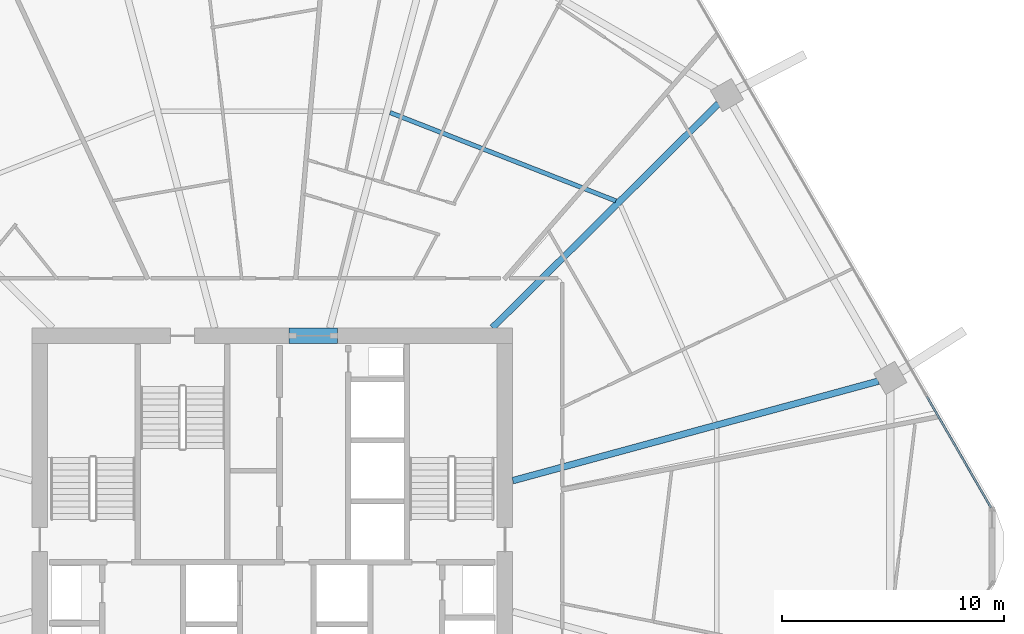
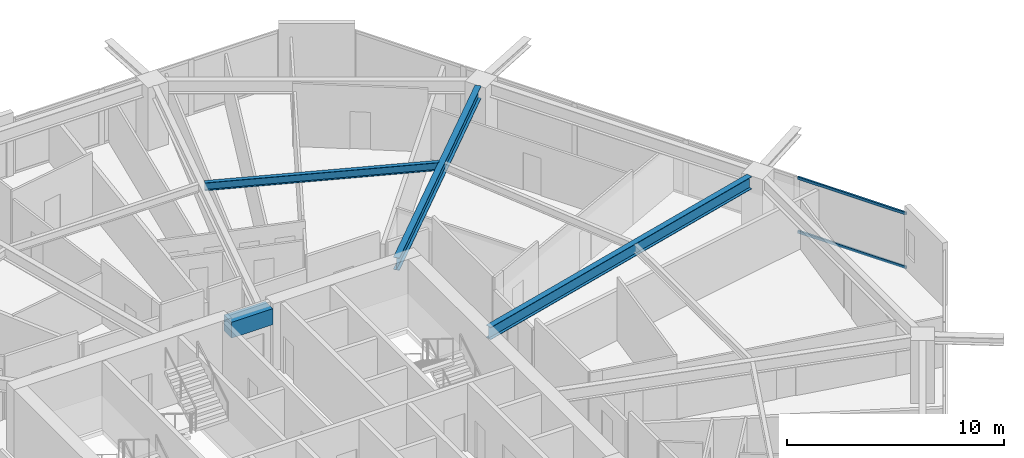
# One storey, part 17 of 33: 4 beams, 2 members, 1 element without a shape of its own.
"""IFC4 building model written with IfcOpenShell, lengths in metres."""

from ifc_helpers import new_model, si_unit, direction, frame, origin, origin_2d, place, context, subcontext, project, spatial, rectangle, hollow_rectangle, i_section, extrude, material, material_profile, profile_set, type_object, element, aggregate, save


model = new_model("IFC4")

# Units and contexts
model_context = context("Model", 3, precision=1e-05, world=origin(), true_north=direction((0.0, 1.0)))
body_context = subcontext(model_context, "Body", "Model", "MODEL_VIEW")
ifc_project = project(units=[si_unit("LENGTHUNIT", "METRE"), si_unit("AREAUNIT", "SQUARE_METRE"), si_unit("VOLUMEUNIT", "CUBIC_METRE"), si_unit("PLANEANGLEUNIT", "RADIAN"), si_unit("MASSUNIT", "GRAM", prefix="KILO")], contexts=[model_context])

# Site, building, storey
site_placement = place(None, origin())
site = spatial("IfcSite", under=ifc_project, at=site_placement, CompositionType="ELEMENT")
building_placement = place(site_placement, origin())
building = spatial("IfcBuilding", under=site, at=building_placement, Name="Zuhravey Tower", CompositionType="ELEMENT")
storey_placement = place(building_placement, frame((0.0, 0.0, 126.60009765625)))
storey = spatial("IfcBuildingStorey", under=building, at=storey_placement, Name="L31", CompositionType="ELEMENT", Elevation=126.60009765625)

# Beam
ifc_material_1 = material(Name="Concrete C60/75", Category="concrete")
ifc_material_profile_1 = material_profile(ifc_material_1, rectangle(XDim=0.699951171875, YDim=0.89990234375, at=origin_2d()), Name="RC-700x900")
ifc_profile_set_1 = profile_set([ifc_material_profile_1], Name="Concrete C60/75")
beam_type_1 = type_object("IfcBeamType", Name="Core Coupling Beam RC700x900", PredefinedType="LINTEL", material=ifc_profile_set_1)
beam_1_placement = place(storey_placement, frame((36.751953125, 41.5, 3.099853515625), z_axis=(1.0, 0.0, 0.0), x_axis=(0.0, 1.0, 0.0)))
element("IfcBeam", 1, at=beam_1_placement, inside=storey, type_object=beam_type_1, Name="L31 CB1 BM-L31-CB-N", PredefinedType="LINTEL", context=body_context, shape_type="SweptSolid", body=[
    extrude(rectangle(XDim=0.699951171875, YDim=0.89990234375, at=origin_2d()), origin(), (0.0, 0.0, 1.0), 2.196044921875),
])

# Curtain wall, members
ifc_material_2 = material(Name="Thermally broken anodised aluminium", Category="aluminium")
curtain_wall_type = type_object("IfcCurtainWallType", Name="Zone 1-2 Residential Curtain Wall CW3", PredefinedType="NOTDEFINED", material=ifc_material_2)
curtain_wall_placement = place(storey_placement, origin())
curtain_wall = element("IfcCurtainWall", 2, at=curtain_wall_placement, inside=storey, type_object=curtain_wall_type, Name="L31 CW3 CW-L31-F1-1", PredefinedType="NOTDEFINED")
ifc_material_3 = material(Name="Anodised aluminium", Category="aluminium")
ifc_material_profile_2 = material_profile(ifc_material_3, hollow_rectangle(XDim=0.090087890625, YDim=0.14990234375, WallThickness=0.0048828125, at=origin_2d()), Name="ALU-RHS-90x150x5")
ifc_profile_set_2 = profile_set([ifc_material_profile_2], Name="Anodised aluminium")
member_type = type_object("IfcMemberType", Name="Curtain-Wall Transom 90x150", PredefinedType="USERDEFINED", material=ifc_profile_set_2)
member_1_placement = place(storey_placement, frame((65.541015625, 38.750244140625, 0.044921875), z_axis=(0.500024450573, -0.866011286779, 0.0), x_axis=(0.866011286779, 0.500024450573, 0.0)))
member_1 = element("IfcMember", 3, at=member_1_placement, type_object=member_type, Name="CW3 transom 5.1", ObjectType="TRANSOM", PredefinedType="USERDEFINED", context=body_context, shape_type="SweptSolid", body=[
    extrude(hollow_rectangle(XDim=0.090087890625, YDim=0.14990234375, WallThickness=0.0048828125, at=origin_2d()), origin(), (0.0, 0.0, 1.0), 5.784912109375),
])
member_2_placement = place(storey_placement, frame((65.541015625, 38.750244140625, 3.076904296875), z_axis=(0.500024450573, -0.866011286779, 0.0), x_axis=(0.866011286779, 0.500024450573, 0.0)))
member_2 = element("IfcMember", 4, at=member_2_placement, type_object=member_type, Name="CW3 transom 5.2", ObjectType="TRANSOM", PredefinedType="USERDEFINED", context=body_context, shape_type="SweptSolid", body=[
    extrude(hollow_rectangle(XDim=0.090087890625, YDim=0.14990234375, WallThickness=0.0048828125, at=origin_2d()), origin(), (0.0, 0.0, 1.0), 5.784912109375),
])
aggregate(curtain_wall, [member_1, member_2])

# Beams
ifc_material_4 = material(Name="Steel SM355", Category="steel")
ifc_material_profile_3 = material_profile(ifc_material_4, i_section(OverallWidth=0.300048828125, OverallDepth=0.699951171875, WebThickness=0.012939453125, FlangeThickness=0.02392578125, at=origin_2d()), Name="H-700x300x13x24")
ifc_profile_set_3 = profile_set([ifc_material_profile_3], Name="Steel SM355")
beam_type_2 = type_object("IfcBeamType", Name="Radial Primary Girder H700x300", PredefinedType="BEAM", material=ifc_profile_set_3)
beam_2_placement = place(storey_placement, frame((46.85302734375, 34.954345703125, 3.199951171875), z_axis=(0.964893166225, 0.262642680791, 0.0), x_axis=(-0.262642680791, 0.964893166225, 0.0)))
element("IfcBeam", 5, at=beam_2_placement, inside=storey, type_object=beam_type_2, Name="L31 RG1 BM-L31-RAD-01", PredefinedType="BEAM", context=body_context, shape_type="SweptSolid", body=[
    extrude(i_section(OverallWidth=0.300048828125, OverallDepth=0.699951171875, WebThickness=0.012939453125, FlangeThickness=0.02392578125, at=origin_2d()), origin(), (0.0, 0.0, 1.0), 17.102783203125),
])
beam_3_placement = place(storey_placement, frame((45.931396484375, 41.85302734375, 3.199951171875), z_axis=(0.709906230344, 0.704296204816, 0.0), x_axis=(-0.704296204816, 0.709906230344, 0.0)))
element("IfcBeam", 6, at=beam_3_placement, inside=storey, type_object=beam_type_2, Name="L31 RG1 BM-L31-RAD-02", PredefinedType="BEAM", context=body_context, shape_type="SweptSolid", body=[
    extrude(i_section(OverallWidth=0.300048828125, OverallDepth=0.699951171875, WebThickness=0.012939453125, FlangeThickness=0.02392578125, at=origin_2d()), origin(), (0.0, 0.0, 1.0), 14.361083984375),
])
ifc_material_profile_4 = material_profile(ifc_material_4, i_section(OverallWidth=0.199951171875, OverallDepth=0.449951171875, WebThickness=0.009033203125, FlangeThickness=0.013916015625, at=origin_2d()), Name="H-450x200x9x14")
ifc_profile_set_4 = profile_set([ifc_material_profile_4], Name="Steel SM355")
beam_type_3 = type_object("IfcBeamType", Name="Secondary Floor Joist H450x200", PredefinedType="JOIST", material=ifc_profile_set_4)
beam_4_placement = place(storey_placement, frame((51.50537109375, 47.581298828125, 3.324951171875), z_axis=(-0.931216764731, 0.364465824302, 0.0), x_axis=(-0.364465824302, -0.931216764731, 0.0)))
element("IfcBeam", 7, at=beam_4_placement, inside=storey, type_object=beam_type_3, Name="L31 SJ1 BM-L31-SJ-02-1", PredefinedType="JOIST", context=body_context, shape_type="SweptSolid", body=[
    extrude(i_section(OverallWidth=0.199951171875, OverallDepth=0.449951171875, WebThickness=0.009033203125, FlangeThickness=0.013916015625, at=origin_2d()), origin(), (0.0, 0.0, 1.0), 10.939453125),
])

save(model, "model.ifc")
